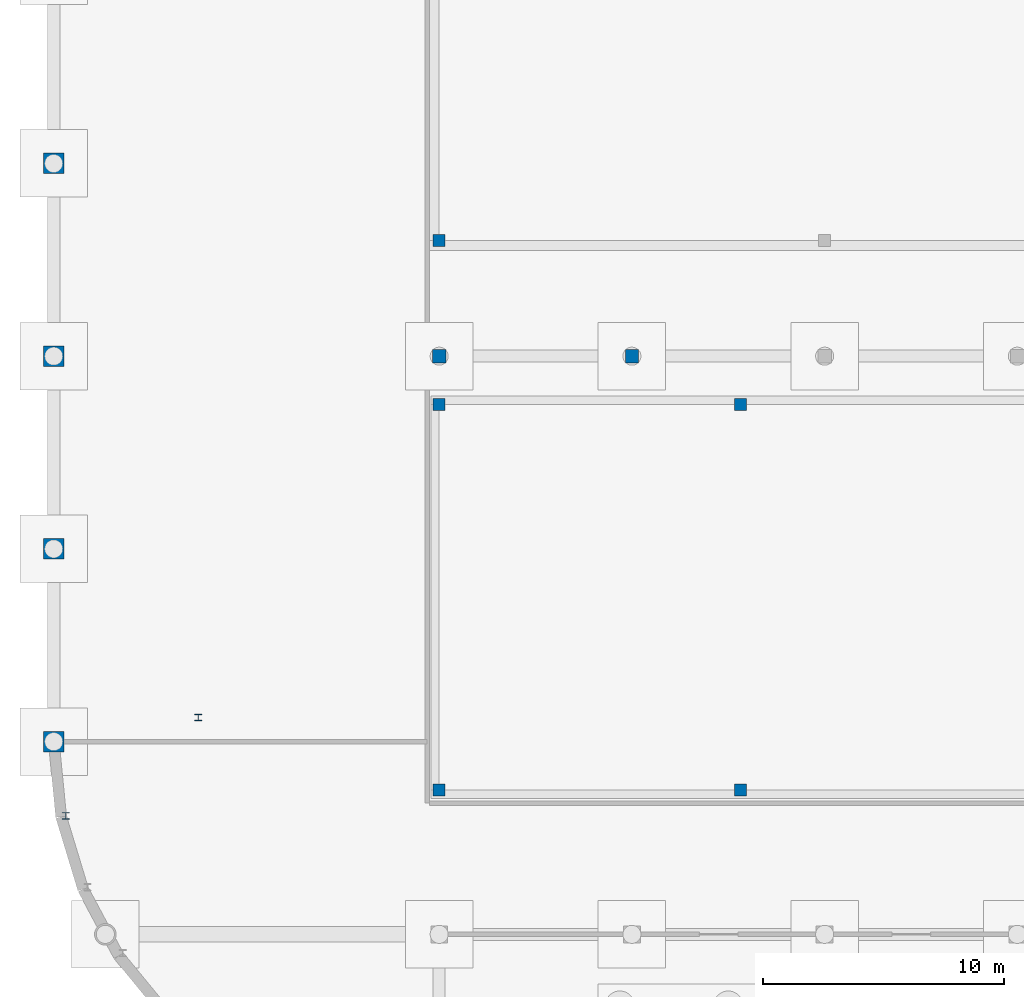
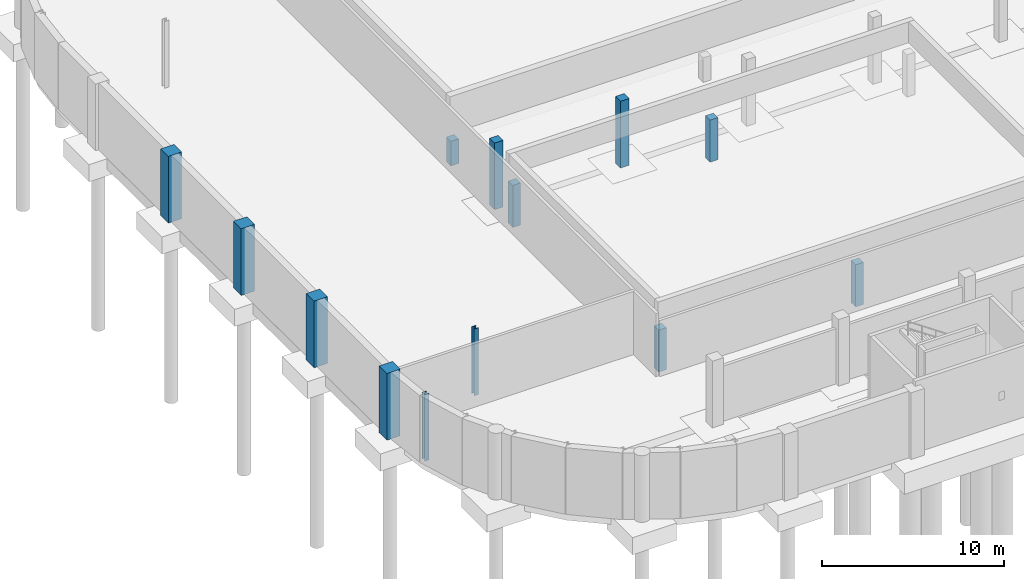
# One storey, part 7 of 29: 13 columns.
"""IFC4 building model written with IfcOpenShell, lengths in metres."""

from ifc_helpers import new_model, si_unit, direction, frame, origin, origin_2d, place, context, subcontext, project, spatial, rectangle, i_section, extrude, material, material_profile, profile_set, type_object, element, save


model = new_model("IFC4")

# Units and contexts
model_context = context("Model", 3, precision=1e-05, world=origin(), true_north=direction((0.0, 1.0)))
body_context = subcontext(model_context, "Body", "Model", "MODEL_VIEW")
ifc_project = project(units=[si_unit("LENGTHUNIT", "METRE"), si_unit("AREAUNIT", "SQUARE_METRE"), si_unit("VOLUMEUNIT", "CUBIC_METRE"), si_unit("PLANEANGLEUNIT", "RADIAN"), si_unit("MASSUNIT", "GRAM", prefix="KILO")], contexts=[model_context])

# Site, building, storey
site_placement = place(None, origin())
site = spatial("IfcSite", under=ifc_project, at=site_placement, CompositionType="ELEMENT")
building_placement = place(site_placement, origin())
building = spatial("IfcBuilding", under=site, at=building_placement, Name="Drelvana Railside Aquatics Centre", CompositionType="ELEMENT")
storey_placement = place(building_placement, frame((0.0, 0.0, -4.800048828125)))
storey = spatial("IfcBuildingStorey", under=building, at=storey_placement, Name="B1", CompositionType="ELEMENT", Elevation=-4.800048828125)

# Columns
ifc_material_1 = material(Name="Concrete C40/50", Category="concrete")
ifc_material_profile_1 = material_profile(ifc_material_1, rectangle(XDim=0.5, YDim=0.5, at=origin_2d()), Name="RC 500x500")
ifc_profile_set_1 = profile_set([ifc_material_profile_1], Name="Concrete C40/50")
column_type_1 = type_object("IfcColumnType", Name="STR-COL-RC-500x500", PredefinedType="COLUMN", material=ifc_profile_set_1)
column_placement = place(storey_placement, frame((16.0, 52.800048828125, 0.0), z_axis=(0.0, 0.0, 1.0), x_axis=(1.0, 0.0, 0.0)))
element("IfcColumn", 1, at=column_placement, inside=storey, type_object=column_type_1, Name="Competition Pool support pier 1", PredefinedType="COLUMN", context=body_context, shape_type="SweptSolid", body=[
    extrude(rectangle(XDim=0.5, YDim=0.5, at=origin_2d()), origin(), (0.0, 0.0, 1.0), 1.650146484375),
])
for number, where, z_axis, x_axis, name in (
    (2, (16.0, 30.0, 0.0), (0.0, 0.0, 1.0), (1.0, 0.0, 0.0), "Training Pool support pier 1"),
    (3, (16.0, 46.0, 0.0), (0.0, 0.0, 1.0), (1.0, 0.0, 0.0), "Training Pool support pier 2"),
    (4, (28.5, 30.0, 0.0), (0.0, 0.0, 1.0), (1.0, 0.0, 0.0), "Training Pool support pier 3"),
    (5, (28.5, 46.0, 0.0), (0.0, 0.0, 1.0), (1.0, 0.0, 0.0), "Training Pool support pier 4"),
):
    element("IfcColumn", number, at=place(storey_placement, frame(where, z_axis=z_axis, x_axis=x_axis)), inside=storey, type_object=column_type_1, Name=name, PredefinedType="COLUMN", context=body_context, shape_type="SweptSolid", body=[
        extrude(rectangle(XDim=0.5, YDim=0.5, at=origin_2d()), origin(), (0.0, 0.0, 1.0), 2.820068359375),
    ])
ifc_material_profile_2 = material_profile(ifc_material_1, rectangle(XDim=0.550048828125, YDim=0.550048828125, at=origin_2d()), Name="RC 550x550")
ifc_profile_set_2 = profile_set([ifc_material_profile_2], Name="Concrete C40/50")
column_type_2 = type_object("IfcColumnType", Name="STR-COL-RC-550x550", PredefinedType="COLUMN", material=ifc_profile_set_2)
for number, where, z_axis, x_axis, name in (
    (6, (16.0, 48.0, 0.0), (0.0, 0.0, 1.0), (1.0, 0.0, 0.0), "Column C-03 (B1)"),
    (7, (24.0, 48.0, 0.0), (0.0, 0.0, 1.0), (1.0, 0.0, 0.0), "Column C-03 (B1)"),
):
    element("IfcColumn", number, at=place(storey_placement, frame(where, z_axis=z_axis, x_axis=x_axis)), inside=storey, type_object=column_type_2, Name=name, PredefinedType="COLUMN", context=body_context, shape_type="SweptSolid", body=[
        extrude(rectangle(XDim=0.550048828125, YDim=0.550048828125, at=origin_2d()), origin(), (0.0, 0.0, 1.0), 4.469970703125),
    ])
ifc_material_profile_3 = material_profile(ifc_material_1, rectangle(XDim=0.85009765625, YDim=0.85009765625, at=origin_2d()), Name="RC 850x850")
ifc_profile_set_3 = profile_set([ifc_material_profile_3], Name="Concrete C40/50")
column_type_3 = type_object("IfcColumnType", Name="STR-COL-RC-850x850", PredefinedType="COLUMN", material=ifc_profile_set_3)
for number, where, z_axis, x_axis, name in (
    (8, (0.0, 32.0, 0.0), (0.0, 0.0, 1.0), (1.0, 0.0, 0.0), "Column C-09 (B1)"),
    (9, (0.0, 40.0, 0.0), (0.0, 0.0, 1.0), (1.0, 0.0, 0.0), "Column C-09 (B1)"),
    (10, (0.0, 48.0, 0.0), (0.0, 0.0, 1.0), (1.0, 0.0, 0.0), "Column C-09 (B1)"),
    (11, (0.0, 56.0, 0.0), (0.0, 0.0, 1.0), (1.0, 0.0, 0.0), "Column C-09 (B1)"),
):
    element("IfcColumn", number, at=place(storey_placement, frame(where, z_axis=z_axis, x_axis=x_axis)), inside=storey, type_object=column_type_3, Name=name, PredefinedType="COLUMN", context=body_context, shape_type="SweptSolid", body=[
        extrude(rectangle(XDim=0.85009765625, YDim=0.85009765625, at=origin_2d()), origin(), (0.0, 0.0, 1.0), 4.469970703125),
    ])
ifc_material_2 = material(Name="Structural steel S355", Category="steel")
ifc_material_profile_4 = material_profile(ifc_material_2, i_section(OverallWidth=0.280029296875, OverallDepth=0.280029296875, WebThickness=0.010498046875, FlangeThickness=0.01806640625, at=origin_2d()), Name="HEB 280")
ifc_profile_set_4 = profile_set([ifc_material_profile_4], Name="Structural steel S355")
column_type_4 = type_object("IfcColumnType", Name="STR-SCOL-HEB-280", PredefinedType="COLUMN", material=ifc_profile_set_4)
for number, where, z_axis, x_axis, name in (
    (12, (0.503662109375, 28.91748046875, 0.0), (0.0, 0.0, 1.0), (1.0, 0.0, 0.0), "V1SW curved chord column 1 (B1)"),
    (13, (6.0, 33.0, 0.0), (0.0, 0.0, 1.0), (1.0, 0.0, 0.0), "Gridshell west end rafter column Y33 (B1)"),
):
    element("IfcColumn", number, at=place(storey_placement, frame(where, z_axis=z_axis, x_axis=x_axis)), inside=storey, type_object=column_type_4, Name=name, PredefinedType="COLUMN", context=body_context, shape_type="SweptSolid", body=[
        extrude(i_section(OverallWidth=0.280029296875, OverallDepth=0.280029296875, WebThickness=0.010498046875, FlangeThickness=0.01806640625, at=origin_2d()), origin(), (0.0, 0.0, 1.0), 4.469970703125),
    ])

save(model, "model.ifc")
